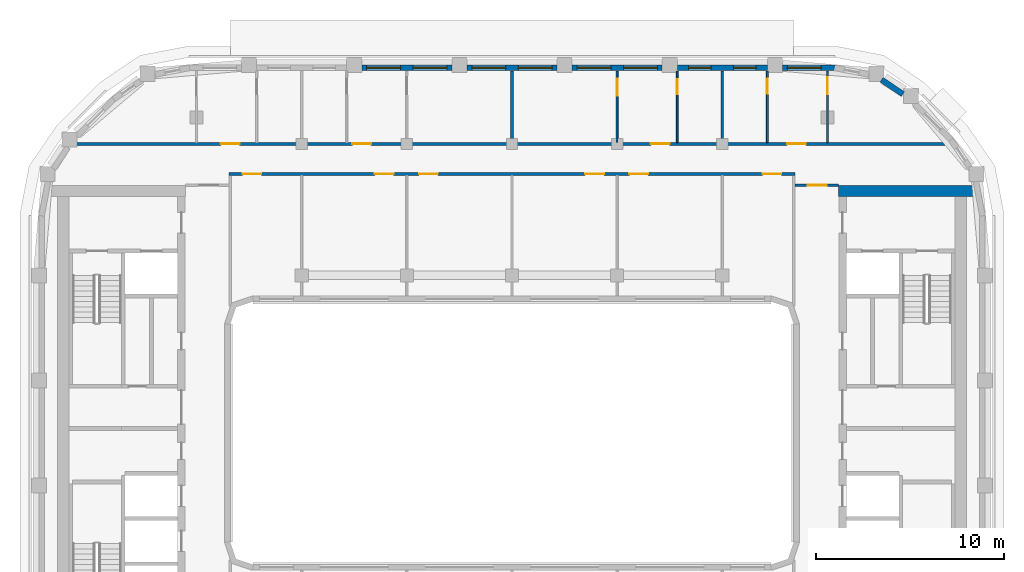
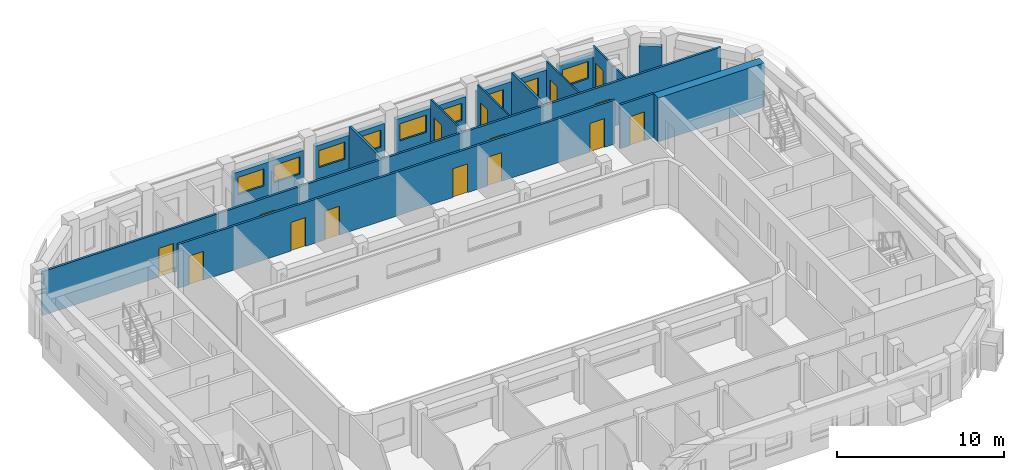
# One storey, part 7 of 15: 16 walls, 15 doors, 9 windows, 24 openings.
"""IFC4 building model written with IfcOpenShell, lengths in metres."""

from ifc_helpers import new_model, si_unit, direction, frame, frame_2d, origin, place, context, subcontext, project, spatial, rectangle, extrude, material, layer, layer_set, type_object, element, fill, save


model = new_model("IFC4")

# Units and contexts
model_context = context("Model", 3, precision=1e-05, world=origin(), true_north=direction((0.0, 1.0)))
body_context = subcontext(model_context, "Body", "Model", "MODEL_VIEW")
ifc_project = project(units=[si_unit("LENGTHUNIT", "METRE"), si_unit("AREAUNIT", "SQUARE_METRE"), si_unit("VOLUMEUNIT", "CUBIC_METRE"), si_unit("PLANEANGLEUNIT", "RADIAN"), si_unit("MASSUNIT", "GRAM", prefix="KILO")], contexts=[model_context])

# Site, building, storey
site_placement = place(None, origin())
site = spatial("IfcSite", under=ifc_project, at=site_placement, CompositionType="ELEMENT")
building_placement = place(site_placement, origin())
building = spatial("IfcBuilding", under=site, at=building_placement, Name="Kiln Ring Residences", CompositionType="ELEMENT")
storey_placement = place(building_placement, frame((0.0, 0.0, 248.699951171875)))
storey = spatial("IfcBuildingStorey", under=building, at=storey_placement, Name="L64", CompositionType="ELEMENT", Elevation=248.699951171875)

# Walls
ifc_material_1 = material(Name="Concrete C60/75", Category="concrete")
ifc_layer_1 = layer(ifc_material_1, 0.60009765625)
ifc_layer_set_1 = layer_set([ifc_layer_1], Name="CORE-WALL-RC600")
wall_type_1 = type_object("IfcWallType", Name="CORE-WALL-RC600", PredefinedType="SHEAR", material=ifc_layer_set_1)
wall_1_placement = place(storey_placement, frame((17.39990234375, 12.89990234375, 0.0), z_axis=(0.0, 0.0, 1.0), x_axis=(1.0, 0.0, 0.0)))
element("IfcWall", 1, at=wall_1_placement, inside=storey, type_object=wall_type_1, Name="Core wall east L64 4", PredefinedType="SHEAR", context=body_context, shape_type="SweptSolid", body=[
    extrude(rectangle(XDim=7.320068359375, YDim=0.60009765625, at=frame_2d((3.66015625, 0.0))), origin(), (0.0, 0.0, 1.0), 3.199951171875),
])
ifc_material_2 = material(Name="Brick masonry, dark clay brick", Category="masonry")
ifc_layer_2 = layer(ifc_material_2, 0.300048828125)
ifc_layer_set_2 = layer_set([ifc_layer_2], Name="EW-300 BRICK WALL")
wall_type_2 = type_object("IfcWallType", Name="EW-300 BRICK WALL", PredefinedType="SOLIDWALL", material=ifc_layer_set_2)
wall_2_placement = place(storey_placement, frame((20.816650390625, 18.048095703125, 0.0), z_axis=(0.0, 0.0, 1.0), x_axis=(-0.827025410886, 0.562164539747, 0.0)))
element("IfcWall", 2, at=wall_2_placement, inside=storey, type_object=wall_type_2, Name="Facade wall L64 24", PredefinedType="SOLIDWALL", context=body_context, shape_type="SweptSolid", body=[
    extrude(rectangle(XDim=1.377197265625, YDim=0.300048828125, at=frame_2d((0.6884765625, 0.0))), origin(), (0.0, 0.0, 1.0), 2.550048828125),
])

# Wall, opening, window
wall_3_placement = place(storey_placement, frame((17.199951171875, 19.449951171875, 0.0), z_axis=(0.0, 0.0, 1.0), x_axis=(-1.0, 0.0, 0.0)))
wall_3 = element("IfcWall", 3, at=wall_3_placement, inside=storey, type_object=wall_type_2, Name="Facade wall L64 26", PredefinedType="SOLIDWALL", context=body_context, shape_type="SweptSolid", body=[
    extrude(rectangle(XDim=2.800048828125, YDim=0.300048828125, at=frame_2d((1.39990234375, 0.0))), origin(), (0.0, 0.0, 1.0), 2.550048828125),
])
opening_1_placement = place(wall_3_placement, frame((0.737548828125, 0.0, 0.89990234375)))
opening_1 = element("IfcOpeningElement", 4, at=opening_1_placement, cuts=wall_3, Name="Opening W2", PredefinedType="OPENING", context=body_context, shape_type="SweptSolid", body=[
    extrude(rectangle(XDim=1.800048828125, YDim=1.25, at=frame_2d((0.89990234375, 0.625))), frame((0.0, 0.159912109375, 0.0), z_axis=(0.0, -1.0, 0.0), x_axis=(1.0, 0.0, 0.0)), (0.0, 0.0, 1.0), 0.320068359375),
])
ifc_material_3 = material(Name="Aluminium frame with double glazing", Category="aluminium")
window_type_1 = type_object("IfcWindowType", Name="WINDOW 1800 x 1250", PartitioningType="SINGLE_PANEL", PredefinedType="WINDOW", material=ifc_material_3)
window_1_placement = place(opening_1_placement, origin())
window_1 = element("IfcWindow", 5, at=window_1_placement, inside=storey, type_object=window_type_1, Name="Window L64 21", OverallHeight=1.25, OverallWidth=1.800048828125, PartitioningType="SINGLE_PANEL", PredefinedType="WINDOW", context=body_context, shape_type="SweptSolid", body=[
    extrude(rectangle(XDim=1.800048828125, YDim=1.25, at=frame_2d((0.89990234375, 0.625))), frame((0.0, 0.030029296875, 0.0), z_axis=(0.0, -1.0, 0.0), x_axis=(1.0, 0.0, 0.0)), (0.0, 0.0, 1.0), 0.06005859375),
])
fill(opening_1, window_1)

# Wall, openings, windows
wall_4_placement = place(storey_placement, frame((13.60009765625, 19.449951171875, 0.0), z_axis=(0.0, 0.0, 1.0), x_axis=(-1.0, 0.0, 0.0)))
wall_4 = element("IfcWall", 6, at=wall_4_placement, inside=storey, type_object=wall_type_2, Name="Facade wall L64 27", PredefinedType="SOLIDWALL", context=body_context, shape_type="SweptSolid", body=[
    extrude(rectangle(XDim=4.800048828125, YDim=0.300048828125, at=frame_2d((2.39990234375, 0.0))), origin(), (0.0, 0.0, 1.0), 2.550048828125),
])
opening_2_placement = place(wall_4_placement, frame((0.60009765625, 0.0, 0.60009765625)))
opening_2 = element("IfcOpeningElement", 7, at=opening_2_placement, cuts=wall_4, Name="Opening W1", PredefinedType="OPENING", context=body_context, shape_type="SweptSolid", body=[
    extrude(rectangle(XDim=1.199951171875, YDim=1.550048828125, at=frame_2d((0.60009765625, 0.77490234375))), frame((0.0, 0.159912109375, 0.0), z_axis=(0.0, -1.0, 0.0), x_axis=(1.0, 0.0, 0.0)), (0.0, 0.0, 1.0), 0.320068359375),
])
opening_3_placement = place(wall_4_placement, frame((3.0, 0.0, 0.60009765625)))
opening_3 = element("IfcOpeningElement", 8, at=opening_3_placement, cuts=wall_4, Name="Opening W1", PredefinedType="OPENING", context=body_context, shape_type="SweptSolid", body=[
    extrude(rectangle(XDim=1.199951171875, YDim=1.550048828125, at=frame_2d((0.60009765625, 0.77490234375))), frame((0.0, 0.159912109375, 0.0), z_axis=(0.0, -1.0, 0.0), x_axis=(1.0, 0.0, 0.0)), (0.0, 0.0, 1.0), 0.320068359375),
])
ifc_material_4 = material(Name="Aluminium frame with double glazing", Category="aluminium")
window_type_2 = type_object("IfcWindowType", Name="WINDOW 1200 x 1550", PartitioningType="SINGLE_PANEL", PredefinedType="WINDOW", material=ifc_material_4)
window_2_placement = place(opening_2_placement, origin())
window_2 = element("IfcWindow", 9, at=window_2_placement, inside=storey, type_object=window_type_2, Name="Window L64 22", OverallHeight=1.550048828125, OverallWidth=1.199951171875, PartitioningType="SINGLE_PANEL", PredefinedType="WINDOW", context=body_context, shape_type="SweptSolid", body=[
    extrude(rectangle(XDim=1.199951171875, YDim=1.550048828125, at=frame_2d((0.60009765625, 0.77490234375))), frame((0.0, 0.030029296875, 0.0), z_axis=(0.0, -1.0, 0.0), x_axis=(1.0, 0.0, 0.0)), (0.0, 0.0, 1.0), 0.06005859375),
])
fill(opening_2, window_2)
window_3_placement = place(opening_3_placement, origin())
window_3 = element("IfcWindow", 10, at=window_3_placement, inside=storey, type_object=window_type_2, Name="Window L64 23", OverallHeight=1.550048828125, OverallWidth=1.199951171875, PartitioningType="SINGLE_PANEL", PredefinedType="WINDOW", context=body_context, shape_type="SweptSolid", body=[
    extrude(rectangle(XDim=1.199951171875, YDim=1.550048828125, at=frame_2d((0.60009765625, 0.77490234375))), frame((0.0, 0.030029296875, 0.0), z_axis=(0.0, -1.0, 0.0), x_axis=(1.0, 0.0, 0.0)), (0.0, 0.0, 1.0), 0.06005859375),
])
fill(opening_3, window_3)

wall_5_placement = place(storey_placement, frame((8.0, 19.449951171875, 0.0), z_axis=(0.0, 0.0, 1.0), x_axis=(-1.0, 0.0, 0.0)))
wall_5 = element("IfcWall", 11, at=wall_5_placement, inside=storey, type_object=wall_type_2, Name="Facade wall L64 28", PredefinedType="SOLIDWALL", context=body_context, shape_type="SweptSolid", body=[
    extrude(rectangle(XDim=4.800048828125, YDim=0.300048828125, at=frame_2d((2.39990234375, 0.0))), origin(), (0.0, 0.0, 1.0), 2.550048828125),
])
opening_4_placement = place(wall_5_placement, frame((0.262451171875, 0.0, 0.89990234375)))
opening_4 = element("IfcOpeningElement", 12, at=opening_4_placement, cuts=wall_5, Name="Opening W2", PredefinedType="OPENING", context=body_context, shape_type="SweptSolid", body=[
    extrude(rectangle(XDim=1.800048828125, YDim=1.25, at=frame_2d((0.89990234375, 0.625))), frame((0.0, 0.159912109375, 0.0), z_axis=(0.0, -1.0, 0.0), x_axis=(1.0, 0.0, 0.0)), (0.0, 0.0, 1.0), 0.320068359375),
])
opening_5_placement = place(wall_5_placement, frame((2.737548828125, 0.0, 0.89990234375)))
opening_5 = element("IfcOpeningElement", 13, at=opening_5_placement, cuts=wall_5, Name="Opening W2", PredefinedType="OPENING", context=body_context, shape_type="SweptSolid", body=[
    extrude(rectangle(XDim=1.800048828125, YDim=1.25, at=frame_2d((0.89990234375, 0.625))), frame((0.0, 0.159912109375, 0.0), z_axis=(0.0, -1.0, 0.0), x_axis=(1.0, 0.0, 0.0)), (0.0, 0.0, 1.0), 0.320068359375),
])
window_4_placement = place(opening_4_placement, origin())
window_4 = element("IfcWindow", 14, at=window_4_placement, inside=storey, type_object=window_type_1, Name="Window L64 24", OverallHeight=1.25, OverallWidth=1.800048828125, PartitioningType="SINGLE_PANEL", PredefinedType="WINDOW", context=body_context, shape_type="SweptSolid", body=[
    extrude(rectangle(XDim=1.800048828125, YDim=1.25, at=frame_2d((0.89990234375, 0.625))), frame((0.0, 0.030029296875, 0.0), z_axis=(0.0, -1.0, 0.0), x_axis=(1.0, 0.0, 0.0)), (0.0, 0.0, 1.0), 0.06005859375),
])
fill(opening_4, window_4)
window_5_placement = place(opening_5_placement, origin())
window_5 = element("IfcWindow", 15, at=window_5_placement, inside=storey, type_object=window_type_1, Name="Window L64 25", OverallHeight=1.25, OverallWidth=1.800048828125, PartitioningType="SINGLE_PANEL", PredefinedType="WINDOW", context=body_context, shape_type="SweptSolid", body=[
    extrude(rectangle(XDim=1.800048828125, YDim=1.25, at=frame_2d((0.89990234375, 0.625))), frame((0.0, 0.030029296875, 0.0), z_axis=(0.0, -1.0, 0.0), x_axis=(1.0, 0.0, 0.0)), (0.0, 0.0, 1.0), 0.06005859375),
])
fill(opening_5, window_5)

wall_6_placement = place(storey_placement, frame((2.39990234375, 19.449951171875, 0.0), z_axis=(0.0, 0.0, 1.0), x_axis=(-1.0, 0.0, 0.0)))
wall_6 = element("IfcWall", 16, at=wall_6_placement, inside=storey, type_object=wall_type_2, Name="Facade wall L64 29", PredefinedType="SOLIDWALL", context=body_context, shape_type="SweptSolid", body=[
    extrude(rectangle(XDim=4.7998046875, YDim=0.300048828125, at=frame_2d((2.39990234375, 0.0))), origin(), (0.0, 0.0, 1.0), 2.550048828125),
])
opening_6_placement = place(wall_6_placement, frame((0.262451171875, 0.0, 0.89990234375)))
opening_6 = element("IfcOpeningElement", 17, at=opening_6_placement, cuts=wall_6, Name="Opening W2", PredefinedType="OPENING", context=body_context, shape_type="SweptSolid", body=[
    extrude(rectangle(XDim=1.800048828125, YDim=1.25, at=frame_2d((0.89990234375, 0.625))), frame((0.0, 0.159912109375, 0.0), z_axis=(0.0, -1.0, 0.0), x_axis=(1.0, 0.0, 0.0)), (0.0, 0.0, 1.0), 0.320068359375),
])
opening_7_placement = place(wall_6_placement, frame((2.737548828125, 0.0, 0.89990234375)))
opening_7 = element("IfcOpeningElement", 18, at=opening_7_placement, cuts=wall_6, Name="Opening W2", PredefinedType="OPENING", context=body_context, shape_type="SweptSolid", body=[
    extrude(rectangle(XDim=1.800048828125, YDim=1.25, at=frame_2d((0.89990234375, 0.625))), frame((0.0, 0.159912109375, 0.0), z_axis=(0.0, -1.0, 0.0), x_axis=(1.0, 0.0, 0.0)), (0.0, 0.0, 1.0), 0.320068359375),
])
window_6_placement = place(opening_6_placement, origin())
window_6 = element("IfcWindow", 19, at=window_6_placement, inside=storey, type_object=window_type_1, Name="Window L64 26", OverallHeight=1.25, OverallWidth=1.800048828125, PartitioningType="SINGLE_PANEL", PredefinedType="WINDOW", context=body_context, shape_type="SweptSolid", body=[
    extrude(rectangle(XDim=1.800048828125, YDim=1.25, at=frame_2d((0.89990234375, 0.625))), frame((0.0, 0.030029296875, 0.0), z_axis=(0.0, -1.0, 0.0), x_axis=(1.0, 0.0, 0.0)), (0.0, 0.0, 1.0), 0.06005859375),
])
fill(opening_6, window_6)
window_7_placement = place(opening_7_placement, origin())
window_7 = element("IfcWindow", 20, at=window_7_placement, inside=storey, type_object=window_type_1, Name="Window L64 27", OverallHeight=1.25, OverallWidth=1.800048828125, PartitioningType="SINGLE_PANEL", PredefinedType="WINDOW", context=body_context, shape_type="SweptSolid", body=[
    extrude(rectangle(XDim=1.800048828125, YDim=1.25, at=frame_2d((0.89990234375, 0.625))), frame((0.0, 0.030029296875, 0.0), z_axis=(0.0, -1.0, 0.0), x_axis=(1.0, 0.0, 0.0)), (0.0, 0.0, 1.0), 0.06005859375),
])
fill(opening_7, window_7)

wall_7_placement = place(storey_placement, frame((-3.199951171875, 19.449951171875, 0.0), z_axis=(0.0, 0.0, 1.0), x_axis=(-1.0, 0.0, 0.0)))
wall_7 = element("IfcWall", 21, at=wall_7_placement, inside=storey, type_object=wall_type_2, Name="Facade wall L64 30", PredefinedType="SOLIDWALL", context=body_context, shape_type="SweptSolid", body=[
    extrude(rectangle(XDim=4.800048828125, YDim=0.300048828125, at=frame_2d((2.39990234375, 0.0))), origin(), (0.0, 0.0, 1.0), 2.550048828125),
])
opening_8_placement = place(wall_7_placement, frame((0.262451171875, 0.0, 0.89990234375)))
opening_8 = element("IfcOpeningElement", 22, at=opening_8_placement, cuts=wall_7, Name="Opening W2", PredefinedType="OPENING", context=body_context, shape_type="SweptSolid", body=[
    extrude(rectangle(XDim=1.800048828125, YDim=1.25, at=frame_2d((0.89990234375, 0.625))), frame((0.0, 0.159912109375, 0.0), z_axis=(0.0, -1.0, 0.0), x_axis=(1.0, 0.0, 0.0)), (0.0, 0.0, 1.0), 0.320068359375),
])
opening_9_placement = place(wall_7_placement, frame((2.737548828125, 0.0, 0.89990234375)))
opening_9 = element("IfcOpeningElement", 23, at=opening_9_placement, cuts=wall_7, Name="Opening W2", PredefinedType="OPENING", context=body_context, shape_type="SweptSolid", body=[
    extrude(rectangle(XDim=1.800048828125, YDim=1.25, at=frame_2d((0.89990234375, 0.625))), frame((0.0, 0.159912109375, 0.0), z_axis=(0.0, -1.0, 0.0), x_axis=(1.0, 0.0, 0.0)), (0.0, 0.0, 1.0), 0.320068359375),
])
window_8_placement = place(opening_8_placement, origin())
window_8 = element("IfcWindow", 24, at=window_8_placement, inside=storey, type_object=window_type_1, Name="Window L64 28", OverallHeight=1.25, OverallWidth=1.800048828125, PartitioningType="SINGLE_PANEL", PredefinedType="WINDOW", context=body_context, shape_type="SweptSolid", body=[
    extrude(rectangle(XDim=1.800048828125, YDim=1.25, at=frame_2d((0.89990234375, 0.625))), frame((0.0, 0.030029296875, 0.0), z_axis=(0.0, -1.0, 0.0), x_axis=(1.0, 0.0, 0.0)), (0.0, 0.0, 1.0), 0.06005859375),
])
fill(opening_8, window_8)
window_9_placement = place(opening_9_placement, origin())
window_9 = element("IfcWindow", 25, at=window_9_placement, inside=storey, type_object=window_type_1, Name="Window L64 29", OverallHeight=1.25, OverallWidth=1.800048828125, PartitioningType="SINGLE_PANEL", PredefinedType="WINDOW", context=body_context, shape_type="SweptSolid", body=[
    extrude(rectangle(XDim=1.800048828125, YDim=1.25, at=frame_2d((0.89990234375, 0.625))), frame((0.0, 0.030029296875, 0.0), z_axis=(0.0, -1.0, 0.0), x_axis=(1.0, 0.0, 0.0)), (0.0, 0.0, 1.0), 0.06005859375),
])
fill(opening_9, window_9)

# Wall, opening, door
ifc_material_5 = material(Name="Gypsum board on steel studs", Category="steel")
ifc_layer_3 = layer(ifc_material_5, 0.10009765625)
ifc_layer_set_3 = layer_set([ifc_layer_3], Name="PARTITION-100")
wall_type_3 = type_object("IfcWallType", Name="PARTITION-100", PredefinedType="PARTITIONING", material=ifc_layer_set_3)
wall_8_placement = place(storey_placement, frame((5.60009765625, 15.47509765625, 0.0), z_axis=(0.0, 0.0, 1.0), x_axis=(0.0, 1.0, 0.0)))
wall_8 = element("IfcWall", 26, at=wall_8_placement, inside=storey, type_object=wall_type_3, Name="Partition 032", PredefinedType="PARTITIONING", context=body_context, shape_type="SweptSolid", body=[
    extrude(rectangle(XDim=3.804931640625, YDim=0.10009765625, at=frame_2d((1.90234375, 0.0))), origin(), (0.0, 0.0, 1.0), 3.199951171875),
])
opening_10_placement = place(wall_8_placement, frame((2.485107421875, 0.0, 0.0)))
opening_10 = element("IfcOpeningElement", 27, at=opening_10_placement, cuts=wall_8, Name="Opening L64-D019", PredefinedType="OPENING", context=body_context, shape_type="SweptSolid", body=[
    extrude(rectangle(XDim=0.89990234375, YDim=2.10009765625, at=frame_2d((0.449951171875, 1.050048828125))), frame((0.0, 0.06005859375, 0.0), z_axis=(0.0, -1.0, 0.0), x_axis=(1.0, 0.0, 0.0)), (0.0, 0.0, 1.0), 0.1201171875),
])
ifc_material_6 = material(Name="Timber door leaf", Category="wood")
door_type_1 = type_object("IfcDoorType", Name="FLAT-DOOR-900-PL", OperationType="SINGLE_SWING_LEFT", PredefinedType="DOOR", material=ifc_material_6)
door_1_placement = place(opening_10_placement, origin())
door_1 = element("IfcDoor", 28, at=door_1_placement, inside=storey, type_object=door_type_1, Name="Door L64-D019", OperationType="SINGLE_SWING_LEFT", OverallHeight=2.10009765625, OverallWidth=0.89990234375, PredefinedType="DOOR", context=body_context, shape_type="SweptSolid", body=[
    extrude(rectangle(XDim=0.89990234375, YDim=2.10009765625, at=frame_2d((0.449951171875, 1.050048828125))), frame((0.0, 0.02490234375, 0.0), z_axis=(0.0, -1.0, 0.0), x_axis=(1.0, 0.0, 0.0)), (0.0, 0.0, 1.0), 0.050048828125),
])
fill(opening_10, door_1)

wall_9_placement = place(storey_placement, frame((8.800048828125, 15.47509765625, 0.0), z_axis=(0.0, 0.0, 1.0), x_axis=(0.0, 1.0, 0.0)))
wall_9 = element("IfcWall", 29, at=wall_9_placement, inside=storey, type_object=wall_type_3, Name="Partition 033", PredefinedType="PARTITIONING", context=body_context, shape_type="SweptSolid", body=[
    extrude(rectangle(XDim=3.804931640625, YDim=0.10009765625, at=frame_2d((1.90234375, 0.0))), origin(), (0.0, 0.0, 1.0), 3.199951171875),
])
opening_11_placement = place(wall_9_placement, frame((2.575927734375, 0.0, 0.0)))
opening_11 = element("IfcOpeningElement", 30, at=opening_11_placement, cuts=wall_9, Name="Opening L64-D018", PredefinedType="OPENING", context=body_context, shape_type="SweptSolid", body=[
    extrude(rectangle(XDim=0.800048828125, YDim=2.10009765625, at=frame_2d((0.39990234375, 1.050048828125))), frame((0.0, 0.06005859375, 0.0), z_axis=(0.0, -1.0, 0.0), x_axis=(1.0, 0.0, 0.0)), (0.0, 0.0, 1.0), 0.1201171875),
])
ifc_material_7 = material(Name="Timber door leaf", Category="wood")
door_type_2 = type_object("IfcDoorType", Name="FLAT-DOOR-800-PL", OperationType="SINGLE_SWING_LEFT", PredefinedType="DOOR", material=ifc_material_7)
door_2_placement = place(opening_11_placement, origin())
door_2 = element("IfcDoor", 31, at=door_2_placement, inside=storey, type_object=door_type_2, Name="Door L64-D018", OperationType="SINGLE_SWING_RIGHT", OverallHeight=2.10009765625, OverallWidth=0.800048828125, PredefinedType="DOOR", context=body_context, shape_type="SweptSolid", body=[
    extrude(rectangle(XDim=0.800048828125, YDim=2.10009765625, at=frame_2d((0.39990234375, 1.050048828125))), frame((0.0, 0.02490234375, 0.0), z_axis=(0.0, -1.0, 0.0), x_axis=(1.0, 0.0, 0.0)), (0.0, 0.0, 1.0), 0.050048828125),
])
fill(opening_11, door_2)

wall_10_placement = place(storey_placement, frame((13.60009765625, 15.47509765625, 0.0), z_axis=(0.0, 0.0, 1.0), x_axis=(0.0, 1.0, 0.0)))
wall_10 = element("IfcWall", 32, at=wall_10_placement, inside=storey, type_object=wall_type_3, Name="Partition 039", PredefinedType="PARTITIONING", context=body_context, shape_type="SweptSolid", body=[
    extrude(rectangle(XDim=3.804931640625, YDim=0.10009765625, at=frame_2d((1.90234375, 0.0))), origin(), (0.0, 0.0, 1.0), 3.199951171875),
])
opening_12_placement = place(wall_10_placement, frame((2.5849609375, 0.0, 0.0)))
opening_12 = element("IfcOpeningElement", 33, at=opening_12_placement, cuts=wall_10, Name="Opening L64-D021", PredefinedType="OPENING", context=body_context, shape_type="SweptSolid", body=[
    extrude(rectangle(XDim=0.800048828125, YDim=2.10009765625, at=frame_2d((0.39990234375, 1.050048828125))), frame((0.0, 0.06005859375, 0.0), z_axis=(0.0, -1.0, 0.0), x_axis=(1.0, 0.0, 0.0)), (0.0, 0.0, 1.0), 0.1201171875),
])
door_3_placement = place(opening_12_placement, origin())
door_3 = element("IfcDoor", 34, at=door_3_placement, inside=storey, type_object=door_type_2, Name="Door L64-D021", OperationType="SINGLE_SWING_LEFT", OverallHeight=2.10009765625, OverallWidth=0.800048828125, PredefinedType="DOOR", context=body_context, shape_type="SweptSolid", body=[
    extrude(rectangle(XDim=0.800048828125, YDim=2.10009765625, at=frame_2d((0.39990234375, 1.050048828125))), frame((0.0, 0.02490234375, 0.0), z_axis=(0.0, -1.0, 0.0), x_axis=(1.0, 0.0, 0.0)), (0.0, 0.0, 1.0), 0.050048828125),
])
fill(opening_12, door_3)

wall_11_placement = place(storey_placement, frame((16.800048828125, 15.47509765625, 0.0), z_axis=(0.0, 0.0, 1.0), x_axis=(0.0, 1.0, 0.0)))
wall_11 = element("IfcWall", 35, at=wall_11_placement, inside=storey, type_object=wall_type_3, Name="Partition 043", PredefinedType="PARTITIONING", context=body_context, shape_type="SweptSolid", body=[
    extrude(rectangle(XDim=3.804931640625, YDim=0.10009765625, at=frame_2d((1.90234375, 0.0))), origin(), (0.0, 0.0, 1.0), 3.199951171875),
])
opening_13_placement = place(wall_11_placement, frame((2.575927734375, 0.0, 0.0)))
opening_13 = element("IfcOpeningElement", 36, at=opening_13_placement, cuts=wall_11, Name="Opening L64-D022", PredefinedType="OPENING", context=body_context, shape_type="SweptSolid", body=[
    extrude(rectangle(XDim=0.89990234375, YDim=2.10009765625, at=frame_2d((0.449951171875, 1.050048828125))), frame((0.0, 0.06005859375, 0.0), z_axis=(0.0, -1.0, 0.0), x_axis=(1.0, 0.0, 0.0)), (0.0, 0.0, 1.0), 0.1201171875),
])
door_4_placement = place(opening_13_placement, origin())
door_4 = element("IfcDoor", 37, at=door_4_placement, inside=storey, type_object=door_type_1, Name="Door L64-D022", OperationType="SINGLE_SWING_RIGHT", OverallHeight=2.10009765625, OverallWidth=0.89990234375, PredefinedType="DOOR", context=body_context, shape_type="SweptSolid", body=[
    extrude(rectangle(XDim=0.89990234375, YDim=2.10009765625, at=frame_2d((0.449951171875, 1.050048828125))), frame((0.0, 0.02490234375, 0.0), z_axis=(0.0, -1.0, 0.0), x_axis=(1.0, 0.0, 0.0)), (0.0, 0.0, 1.0), 0.050048828125),
])
fill(opening_13, door_4)

ifc_material_8 = material(Name="Brick masonry partition", Category="masonry")
ifc_layer_4 = layer(ifc_material_8, 0.14990234375)
ifc_layer_set_4 = layer_set([ifc_layer_4], Name="PARTITION-150-ei60")
wall_type_4 = type_object("IfcWallType", Name="PARTITION-150-ei60", PredefinedType="PARTITIONING", material=ifc_layer_set_4)
wall_12_placement = place(storey_placement, frame((15.074951171875, 13.199951171875, 0.0), z_axis=(0.0, 0.0, 1.0), x_axis=(1.0, 0.0, 0.0)))
wall_12 = element("IfcWall", 38, at=wall_12_placement, inside=storey, type_object=wall_type_4, Name="Partition 005", PredefinedType="PARTITIONING", context=body_context, shape_type="SweptSolid", body=[
    extrude(rectangle(XDim=2.324951171875, YDim=0.14990234375, at=frame_2d((1.16259765625, 0.0))), origin(), (0.0, 0.0, 1.0), 3.199951171875),
])
opening_14_placement = place(wall_12_placement, frame((0.675048828125, 0.0, 0.0)))
opening_14 = element("IfcOpeningElement", 39, at=opening_14_placement, cuts=wall_12, Name="Opening L64-D002", PredefinedType="OPENING", context=body_context, shape_type="SweptSolid", body=[
    extrude(rectangle(XDim=1.0, YDim=2.10009765625, at=frame_2d((0.5, 1.050048828125))), frame((0.0, 0.0849609375, 0.0), z_axis=(0.0, -1.0, 0.0), x_axis=(1.0, 0.0, 0.0)), (0.0, 0.0, 1.0), 0.169921875),
])
ifc_material_9 = material(Name="Steel faced fire door leaf", Category="steel")
door_type_3 = type_object("IfcDoorType", Name="FLAT-DOOR-1000-FR", OperationType="SINGLE_SWING_LEFT", PredefinedType="DOOR", material=ifc_material_9)
door_5_placement = place(opening_14_placement, origin())
door_5 = element("IfcDoor", 40, at=door_5_placement, inside=storey, type_object=door_type_3, Name="Door L64-D002", OperationType="SINGLE_SWING_LEFT", OverallHeight=2.10009765625, OverallWidth=1.0, PredefinedType="DOOR", context=body_context, shape_type="SweptSolid", body=[
    extrude(rectangle(XDim=1.0, YDim=2.10009765625, at=frame_2d((0.5, 1.050048828125))), frame((0.0, 0.02490234375, 0.0), z_axis=(0.0, -1.0, 0.0), x_axis=(1.0, 0.0, 0.0)), (0.0, 0.0, 1.0), 0.050048828125),
])
fill(opening_14, door_5)

# Wall, openings, doors
wall_13_placement = place(storey_placement, frame((-15.074951171875, 13.800048828125, 0.0), z_axis=(0.0, 0.0, 1.0), x_axis=(1.0, 0.0, 0.0)))
wall_13 = element("IfcWall", 41, at=wall_13_placement, inside=storey, type_object=wall_type_4, Name="Partition 006", PredefinedType="PARTITIONING", context=body_context, shape_type="SweptSolid", body=[
    extrude(rectangle(XDim=30.14990234375, YDim=0.14990234375, at=frame_2d((15.074951171875, 0.0))), origin(), (0.0, 0.0, 1.0), 3.199951171875),
])
opening_15_placement = place(wall_13_placement, frame((0.72607421875, 0.0, 0.0)))
opening_15 = element("IfcOpeningElement", 42, at=opening_15_placement, cuts=wall_13, Name="Opening L64-D005", PredefinedType="OPENING", context=body_context, shape_type="SweptSolid", body=[
    extrude(rectangle(XDim=1.0, YDim=2.10009765625, at=frame_2d((0.5, 1.050048828125))), frame((0.0, 0.0849609375, 0.0), z_axis=(0.0, -1.0, 0.0), x_axis=(1.0, 0.0, 0.0)), (0.0, 0.0, 1.0), 0.169921875),
])
opening_16_placement = place(wall_13_placement, frame((7.77490234375, 0.0, 0.0)))
opening_16 = element("IfcOpeningElement", 43, at=opening_16_placement, cuts=wall_13, Name="Opening L64-D006", PredefinedType="OPENING", context=body_context, shape_type="SweptSolid", body=[
    extrude(rectangle(XDim=1.0, YDim=2.10009765625, at=frame_2d((0.5, 1.050048828125))), frame((0.0, 0.0849609375, 0.0), z_axis=(0.0, -1.0, 0.0), x_axis=(1.0, 0.0, 0.0)), (0.0, 0.0, 1.0), 0.169921875),
])
opening_17_placement = place(wall_13_placement, frame((10.125, 0.0, 0.0)))
opening_17 = element("IfcOpeningElement", 44, at=opening_17_placement, cuts=wall_13, Name="Opening L64-D007", PredefinedType="OPENING", context=body_context, shape_type="SweptSolid", body=[
    extrude(rectangle(XDim=1.0, YDim=2.10009765625, at=frame_2d((0.5, 1.050048828125))), frame((0.0, 0.0849609375, 0.0), z_axis=(0.0, -1.0, 0.0), x_axis=(1.0, 0.0, 0.0)), (0.0, 0.0, 1.0), 0.169921875),
])
opening_18_placement = place(wall_13_placement, frame((18.97509765625, 0.0, 0.0)))
opening_18 = element("IfcOpeningElement", 45, at=opening_18_placement, cuts=wall_13, Name="Opening L64-D008", PredefinedType="OPENING", context=body_context, shape_type="SweptSolid", body=[
    extrude(rectangle(XDim=1.0, YDim=2.10009765625, at=frame_2d((0.5, 1.050048828125))), frame((0.0, 0.0849609375, 0.0), z_axis=(0.0, -1.0, 0.0), x_axis=(1.0, 0.0, 0.0)), (0.0, 0.0, 1.0), 0.169921875),
])
opening_19_placement = place(wall_13_placement, frame((21.324951171875, 0.0, 0.0)))
opening_19 = element("IfcOpeningElement", 46, at=opening_19_placement, cuts=wall_13, Name="Opening L64-D009", PredefinedType="OPENING", context=body_context, shape_type="SweptSolid", body=[
    extrude(rectangle(XDim=1.0, YDim=2.10009765625, at=frame_2d((0.5, 1.050048828125))), frame((0.0, 0.0849609375, 0.0), z_axis=(0.0, -1.0, 0.0), x_axis=(1.0, 0.0, 0.0)), (0.0, 0.0, 1.0), 0.169921875),
])
opening_20_placement = place(wall_13_placement, frame((28.425048828125, 0.0, 0.0)))
opening_20 = element("IfcOpeningElement", 47, at=opening_20_placement, cuts=wall_13, Name="Opening L64-D010", PredefinedType="OPENING", context=body_context, shape_type="SweptSolid", body=[
    extrude(rectangle(XDim=1.0, YDim=2.10009765625, at=frame_2d((0.5, 1.050048828125))), frame((0.0, 0.0849609375, 0.0), z_axis=(0.0, -1.0, 0.0), x_axis=(1.0, 0.0, 0.0)), (0.0, 0.0, 1.0), 0.169921875),
])
door_6_placement = place(opening_15_placement, origin())
door_6 = element("IfcDoor", 48, at=door_6_placement, inside=storey, type_object=door_type_3, Name="Door L64-D005", OperationType="SINGLE_SWING_LEFT", OverallHeight=2.10009765625, OverallWidth=1.0, PredefinedType="DOOR", context=body_context, shape_type="SweptSolid", body=[
    extrude(rectangle(XDim=1.0, YDim=2.10009765625, at=frame_2d((0.5, 1.050048828125))), frame((0.0, 0.02490234375, 0.0), z_axis=(0.0, -1.0, 0.0), x_axis=(1.0, 0.0, 0.0)), (0.0, 0.0, 1.0), 0.050048828125),
])
fill(opening_15, door_6)
door_7_placement = place(opening_16_placement, origin())
door_7 = element("IfcDoor", 49, at=door_7_placement, inside=storey, type_object=door_type_3, Name="Door L64-D006", OperationType="SINGLE_SWING_RIGHT", OverallHeight=2.10009765625, OverallWidth=1.0, PredefinedType="DOOR", context=body_context, shape_type="SweptSolid", body=[
    extrude(rectangle(XDim=1.0, YDim=2.10009765625, at=frame_2d((0.5, 1.050048828125))), frame((0.0, 0.02490234375, 0.0), z_axis=(0.0, -1.0, 0.0), x_axis=(1.0, 0.0, 0.0)), (0.0, 0.0, 1.0), 0.050048828125),
])
fill(opening_16, door_7)
door_8_placement = place(opening_17_placement, origin())
door_8 = element("IfcDoor", 50, at=door_8_placement, inside=storey, type_object=door_type_3, Name="Door L64-D007", OperationType="SINGLE_SWING_LEFT", OverallHeight=2.10009765625, OverallWidth=1.0, PredefinedType="DOOR", context=body_context, shape_type="SweptSolid", body=[
    extrude(rectangle(XDim=1.0, YDim=2.10009765625, at=frame_2d((0.5, 1.050048828125))), frame((0.0, 0.02490234375, 0.0), z_axis=(0.0, -1.0, 0.0), x_axis=(1.0, 0.0, 0.0)), (0.0, 0.0, 1.0), 0.050048828125),
])
fill(opening_17, door_8)
door_9_placement = place(opening_18_placement, origin())
door_9 = element("IfcDoor", 51, at=door_9_placement, inside=storey, type_object=door_type_3, Name="Door L64-D008", OperationType="SINGLE_SWING_RIGHT", OverallHeight=2.10009765625, OverallWidth=1.0, PredefinedType="DOOR", context=body_context, shape_type="SweptSolid", body=[
    extrude(rectangle(XDim=1.0, YDim=2.10009765625, at=frame_2d((0.5, 1.050048828125))), frame((0.0, 0.02490234375, 0.0), z_axis=(0.0, -1.0, 0.0), x_axis=(1.0, 0.0, 0.0)), (0.0, 0.0, 1.0), 0.050048828125),
])
fill(opening_18, door_9)
door_10_placement = place(opening_19_placement, origin())
door_10 = element("IfcDoor", 52, at=door_10_placement, inside=storey, type_object=door_type_3, Name="Door L64-D009", OperationType="SINGLE_SWING_LEFT", OverallHeight=2.10009765625, OverallWidth=1.0, PredefinedType="DOOR", context=body_context, shape_type="SweptSolid", body=[
    extrude(rectangle(XDim=1.0, YDim=2.10009765625, at=frame_2d((0.5, 1.050048828125))), frame((0.0, 0.02490234375, 0.0), z_axis=(0.0, -1.0, 0.0), x_axis=(1.0, 0.0, 0.0)), (0.0, 0.0, 1.0), 0.050048828125),
])
fill(opening_19, door_10)
door_11_placement = place(opening_20_placement, origin())
door_11 = element("IfcDoor", 53, at=door_11_placement, inside=storey, type_object=door_type_3, Name="Door L64-D010", OperationType="SINGLE_SWING_RIGHT", OverallHeight=2.10009765625, OverallWidth=1.0, PredefinedType="DOOR", context=body_context, shape_type="SweptSolid", body=[
    extrude(rectangle(XDim=1.0, YDim=2.10009765625, at=frame_2d((0.5, 1.050048828125))), frame((0.0, 0.02490234375, 0.0), z_axis=(0.0, -1.0, 0.0), x_axis=(1.0, 0.0, 0.0)), (0.0, 0.0, 1.0), 0.050048828125),
])
fill(opening_20, door_11)

wall_14_placement = place(storey_placement, frame((-23.550048828125, 15.39990234375, 0.0), z_axis=(0.0, 0.0, 1.0), x_axis=(1.0, 0.0, 0.0)))
wall_14 = element("IfcWall", 54, at=wall_14_placement, inside=storey, type_object=wall_type_4, Name="Partition 007", PredefinedType="PARTITIONING", context=body_context, shape_type="SweptSolid", body=[
    extrude(rectangle(XDim=46.8720703125, YDim=0.14990234375, at=frame_2d((23.43603515625, 0.0))), origin(), (0.0, 0.0, 1.0), 3.199951171875),
])
opening_21_placement = place(wall_14_placement, frame((8.050048828125, 0.0, 0.0)))
opening_21 = element("IfcOpeningElement", 55, at=opening_21_placement, cuts=wall_14, Name="Opening L64-D011", PredefinedType="OPENING", context=body_context, shape_type="SweptSolid", body=[
    extrude(rectangle(XDim=1.0, YDim=2.10009765625, at=frame_2d((0.5, 1.050048828125))), frame((0.0, 0.0849609375, 0.0), z_axis=(0.0, -1.0, 0.0), x_axis=(1.0, 0.0, 0.0)), (0.0, 0.0, 1.0), 0.169921875),
])
opening_22_placement = place(wall_14_placement, frame((15.050048828125, 0.0, 0.0)))
opening_22 = element("IfcOpeningElement", 56, at=opening_22_placement, cuts=wall_14, Name="Opening L64-D014", PredefinedType="OPENING", context=body_context, shape_type="SweptSolid", body=[
    extrude(rectangle(XDim=1.0, YDim=2.10009765625, at=frame_2d((0.5, 1.050048828125))), frame((0.0, 0.0849609375, 0.0), z_axis=(0.0, -1.0, 0.0), x_axis=(1.0, 0.0, 0.0)), (0.0, 0.0, 1.0), 0.169921875),
])
opening_23_placement = place(wall_14_placement, frame((30.949951171875, 0.0, 0.0)))
opening_23 = element("IfcOpeningElement", 57, at=opening_23_placement, cuts=wall_14, Name="Opening L64-D017", PredefinedType="OPENING", context=body_context, shape_type="SweptSolid", body=[
    extrude(rectangle(XDim=1.0, YDim=2.10009765625, at=frame_2d((0.5, 1.050048828125))), frame((0.0, 0.0849609375, 0.0), z_axis=(0.0, -1.0, 0.0), x_axis=(1.0, 0.0, 0.0)), (0.0, 0.0, 1.0), 0.169921875),
])
opening_24_placement = place(wall_14_placement, frame((38.199951171875, 0.0, 0.0)))
opening_24 = element("IfcOpeningElement", 58, at=opening_24_placement, cuts=wall_14, Name="Opening L64-D020", PredefinedType="OPENING", context=body_context, shape_type="SweptSolid", body=[
    extrude(rectangle(XDim=1.0, YDim=2.10009765625, at=frame_2d((0.5, 1.050048828125))), frame((0.0, 0.0849609375, 0.0), z_axis=(0.0, -1.0, 0.0), x_axis=(1.0, 0.0, 0.0)), (0.0, 0.0, 1.0), 0.169921875),
])
door_12_placement = place(opening_21_placement, origin())
door_12 = element("IfcDoor", 59, at=door_12_placement, inside=storey, type_object=door_type_3, Name="Door L64-D011", OperationType="SINGLE_SWING_LEFT", OverallHeight=2.10009765625, OverallWidth=1.0, PredefinedType="DOOR", context=body_context, shape_type="SweptSolid", body=[
    extrude(rectangle(XDim=1.0, YDim=2.10009765625, at=frame_2d((0.5, 1.050048828125))), frame((0.0, 0.02490234375, 0.0), z_axis=(0.0, -1.0, 0.0), x_axis=(1.0, 0.0, 0.0)), (0.0, 0.0, 1.0), 0.050048828125),
])
fill(opening_21, door_12)
door_13_placement = place(opening_22_placement, origin())
door_13 = element("IfcDoor", 60, at=door_13_placement, inside=storey, type_object=door_type_3, Name="Door L64-D014", OperationType="SINGLE_SWING_RIGHT", OverallHeight=2.10009765625, OverallWidth=1.0, PredefinedType="DOOR", context=body_context, shape_type="SweptSolid", body=[
    extrude(rectangle(XDim=1.0, YDim=2.10009765625, at=frame_2d((0.5, 1.050048828125))), frame((0.0, 0.02490234375, 0.0), z_axis=(0.0, -1.0, 0.0), x_axis=(1.0, 0.0, 0.0)), (0.0, 0.0, 1.0), 0.050048828125),
])
fill(opening_22, door_13)
door_14_placement = place(opening_23_placement, origin())
door_14 = element("IfcDoor", 61, at=door_14_placement, inside=storey, type_object=door_type_3, Name="Door L64-D017", OperationType="SINGLE_SWING_LEFT", OverallHeight=2.10009765625, OverallWidth=1.0, PredefinedType="DOOR", context=body_context, shape_type="SweptSolid", body=[
    extrude(rectangle(XDim=1.0, YDim=2.10009765625, at=frame_2d((0.5, 1.050048828125))), frame((0.0, 0.02490234375, 0.0), z_axis=(0.0, -1.0, 0.0), x_axis=(1.0, 0.0, 0.0)), (0.0, 0.0, 1.0), 0.050048828125),
])
fill(opening_23, door_14)
door_15_placement = place(opening_24_placement, origin())
door_15 = element("IfcDoor", 62, at=door_15_placement, inside=storey, type_object=door_type_3, Name="Door L64-D020", OperationType="SINGLE_SWING_RIGHT", OverallHeight=2.10009765625, OverallWidth=1.0, PredefinedType="DOOR", context=body_context, shape_type="SweptSolid", body=[
    extrude(rectangle(XDim=1.0, YDim=2.10009765625, at=frame_2d((0.5, 1.050048828125))), frame((0.0, 0.02490234375, 0.0), z_axis=(0.0, -1.0, 0.0), x_axis=(1.0, 0.0, 0.0)), (0.0, 0.0, 1.0), 0.050048828125),
])
fill(opening_24, door_15)

# Walls
for number, where, z_axis, x_axis, name in (
    (63, (0.0, 15.47509765625, 0.0), (0.0, 0.0, 1.0), (0.0, 1.0, 0.0), "Partition 027"),
    (64, (11.199951171875, 15.47509765625, 0.0), (0.0, 0.0, 1.0), (0.0, 1.0, 0.0), "Partition 037"),
):
    element("IfcWall", number, at=place(storey_placement, frame(where, z_axis=z_axis, x_axis=x_axis)), inside=storey, type_object=wall_type_4, Name=name, PredefinedType="PARTITIONING", context=body_context, shape_type="SweptSolid", body=[
        extrude(rectangle(XDim=3.804931640625, YDim=0.14990234375, at=frame_2d((1.90234375, 0.0))), origin(), (0.0, 0.0, 1.0), 3.199951171875),
    ])

save(model, "model.ifc")
